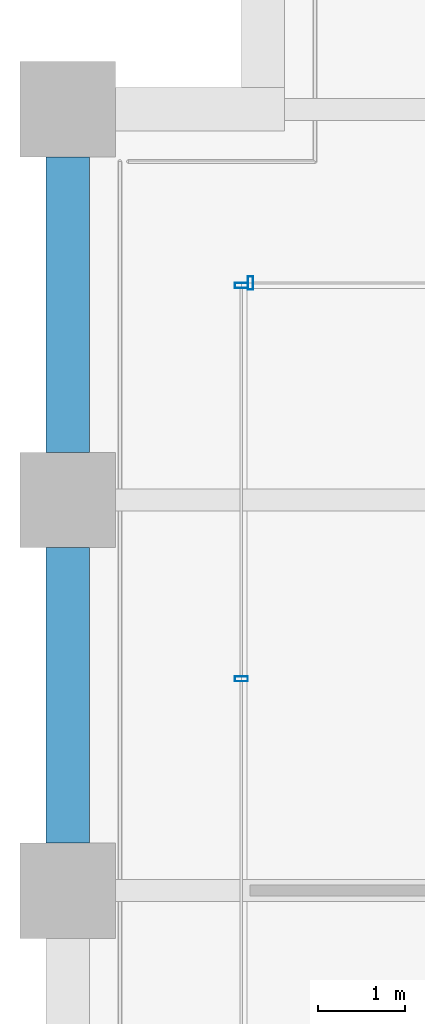
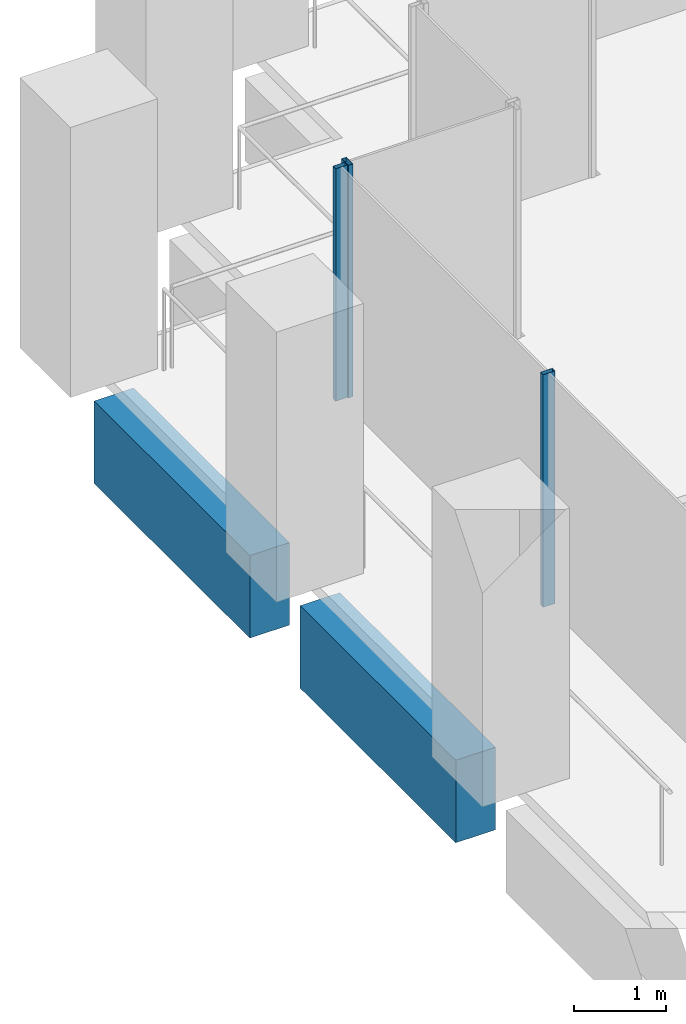
# One storey, part 23 of 56: 3 members, 2 beams, 2 elements without a shape of their own.
"""IFC4 building model written with IfcOpenShell, lengths in metres."""

from ifc_helpers import new_model, si_unit, direction, frame, origin, origin_2d, place, context, subcontext, project, spatial, rectangle, hollow_rectangle, extrude, material, material_profile, profile_set, type_object, element, aggregate, save


model = new_model("IFC4")

# Units and contexts
model_context = context("Model", 3, precision=1e-05, world=origin(), true_north=direction((0.0, 1.0)))
body_context = subcontext(model_context, "Body", "Model", "MODEL_VIEW")
ifc_project = project(units=[si_unit("LENGTHUNIT", "METRE"), si_unit("AREAUNIT", "SQUARE_METRE"), si_unit("VOLUMEUNIT", "CUBIC_METRE"), si_unit("PLANEANGLEUNIT", "RADIAN"), si_unit("MASSUNIT", "GRAM", prefix="KILO")], contexts=[model_context])

# Site, building, storey
site_placement = place(None, origin())
site = spatial("IfcSite", under=ifc_project, at=site_placement, CompositionType="ELEMENT")
building_placement = place(site_placement, origin())
building = spatial("IfcBuilding", under=site, at=building_placement, Name="Altepetl Exchange Towers", CompositionType="ELEMENT")
storey_placement = place(building_placement, frame((0.0, 0.0, 69.0)))
storey = spatial("IfcBuildingStorey", under=building, at=storey_placement, Name="L16", CompositionType="ELEMENT", Elevation=69.0)

# Curtain wall, member
ifc_material_1 = material(Name="Aluminium 6063-T6 glazing", Category="aluminium")
curtain_wall_type = type_object("IfcCurtainWallType", Name="Loggia glazing system", PredefinedType="NOTDEFINED", material=ifc_material_1)
curtain_wall_1_placement = place(storey_placement, origin())
curtain_wall_1 = element("IfcCurtainWall", 1, at=curtain_wall_1_placement, inside=storey, type_object=curtain_wall_type, Name="CW1 run", PredefinedType="NOTDEFINED")
ifc_material_2 = material(Name="Aluminium 6063-T6", Category="aluminium")
ifc_material_profile_1 = material_profile(ifc_material_2, hollow_rectangle(XDim=0.06005859375, YDim=0.14990234375, WallThickness=0.0029296875, at=origin_2d()), Name="Mullion 60x150 aluminium")
ifc_profile_set_1 = profile_set([ifc_material_profile_1], Name="Aluminium 6063-T6")
member_type = type_object("IfcMemberType", Name="Mullion 60x150 aluminium", PredefinedType="MULLION", material=ifc_profile_set_1)
member_1_placement = place(storey_placement, frame((29.10498046875, 65.5, 0.0), z_axis=(0.0, 0.0, 1.0), x_axis=(-1.0, 0.0, 0.0)))
member_1 = element("IfcMember", 2, at=member_1_placement, type_object=member_type, Name="MU1 mullion", PredefinedType="MULLION", context=body_context, shape_type="SweptSolid", body=[
    extrude(hollow_rectangle(XDim=0.06005859375, YDim=0.14990234375, WallThickness=0.0029296875, at=origin_2d()), origin(), (0.0, 0.0, 1.0), 3.10009765625),
])
aggregate(curtain_wall_1, [member_1])

# Curtain wall, members
curtain_wall_2_placement = place(storey_placement, origin())
curtain_wall_2 = element("IfcCurtainWall", 3, at=curtain_wall_2_placement, inside=storey, type_object=curtain_wall_type, Name="CW1 run", PredefinedType="NOTDEFINED")
member_2_placement = place(storey_placement, frame((29.0, 65.469970703125, 0.0), z_axis=(0.0, 0.0, 1.0), x_axis=(0.0, -1.0, 0.0)))
member_2 = element("IfcMember", 4, at=member_2_placement, type_object=member_type, Name="MU1 mullion", PredefinedType="MULLION", context=body_context, shape_type="SweptSolid", body=[
    extrude(hollow_rectangle(XDim=0.06005859375, YDim=0.14990234375, WallThickness=0.0029296875, at=origin_2d()), origin(), (0.0, 0.0, 1.0), 3.10009765625),
])
member_3_placement = place(storey_placement, frame((29.0, 60.939208984375, 0.0), z_axis=(0.0, 0.0, 1.0), x_axis=(0.0, -1.0, 0.0)))
member_3 = element("IfcMember", 5, at=member_3_placement, type_object=member_type, Name="MU1 mullion", PredefinedType="MULLION", context=body_context, shape_type="SweptSolid", body=[
    extrude(hollow_rectangle(XDim=0.06005859375, YDim=0.14990234375, WallThickness=0.0029296875, at=origin_2d()), origin(), (0.0, 0.0, 1.0), 3.10009765625),
])
aggregate(curtain_wall_2, [member_2, member_3])

# Beams
ifc_material_3 = material(Name="Concrete C50/60 precast with tezontle facing", Category="concrete")
ifc_material_profile_2 = material_profile(ifc_material_3, rectangle(XDim=0.5, YDim=1.10009765625, at=origin_2d()), Name="500 x 1100")
ifc_profile_set_2 = profile_set([ifc_material_profile_2], Name="Concrete C50/60 precast with tezontle facing")
beam_type = type_object("IfcBeamType", Name="Spandrel beam 500x1100 tezontle", PredefinedType="SPANDREL", material=ifc_profile_set_2)
for number, where, z_axis, x_axis, name in (
    (6, (27.0, 66.949951171875, -0.699951171875), (0.0, -1.0, 0.0), (1.0, 0.0, 0.0), "sp:A:L16:036"),
    (7, (27.0, 62.449951171875, -0.699951171875), (0.0, -1.0, 0.0), (1.0, 0.0, 0.0), "sp:A:L16:037"),
):
    element("IfcBeam", number, at=place(storey_placement, frame(where, z_axis=z_axis, x_axis=x_axis)), inside=storey, type_object=beam_type, Name=name, PredefinedType="SPANDREL", context=body_context, shape_type="SweptSolid", body=[
        extrude(rectangle(XDim=0.5, YDim=1.10009765625, at=origin_2d()), origin(), (0.0, 0.0, 1.0), 3.39990234375),
    ])

save(model, "model.ifc")
